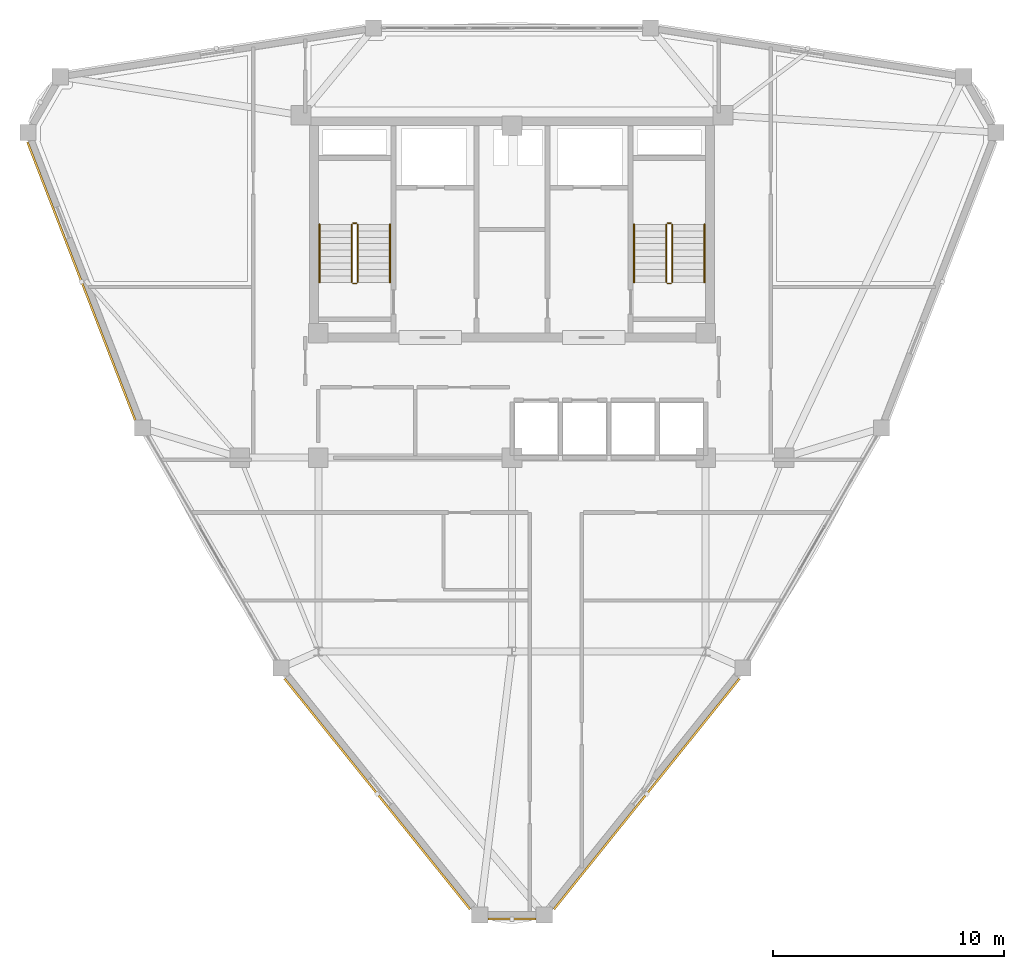
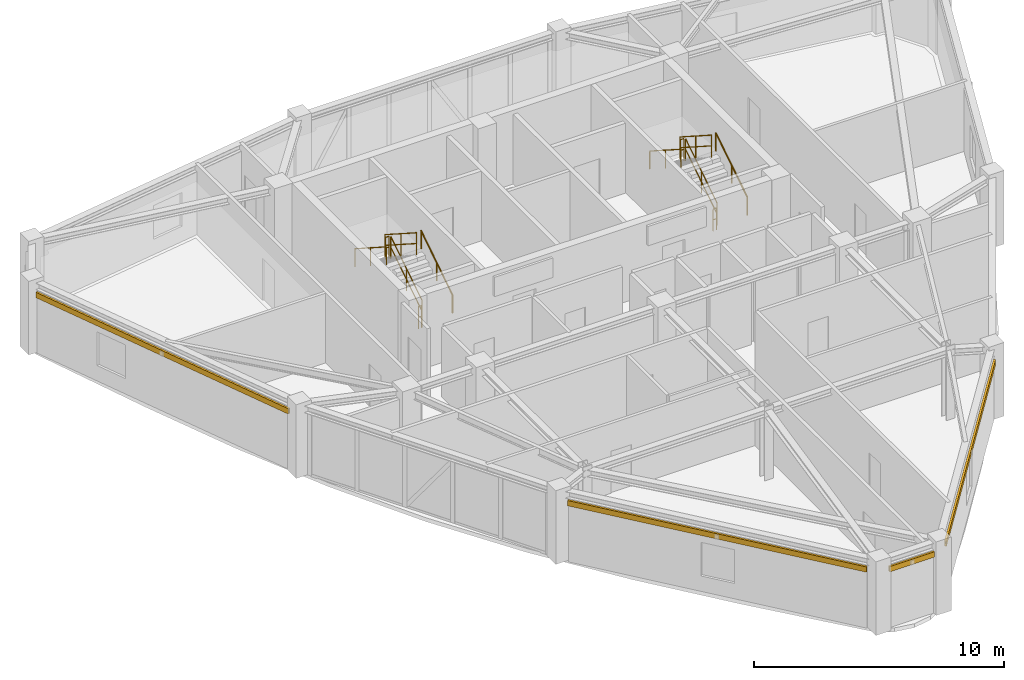
# One storey, part 14 of 15: 12 railings, 4 shading devices.
"""IFC4 building model written with IfcOpenShell, lengths in metres."""

from ifc_helpers import new_model, si_unit, derived_unit, direction, frame, origin, origin_2d, place, context, subcontext, project, spatial, hollow_rectangle, circle, extrude, source, transform, mapped, material, material_profile, profile_set, type_object, element, save


model = new_model("IFC4")

# Units and contexts
model_context = context("Model", 3, precision=1e-05, world=origin(), true_north=direction((0.0, 1.0)))
body_context = subcontext(model_context, "Body", "Model", "MODEL_VIEW")
ifc_project = project(units=[si_unit("LENGTHUNIT", "METRE"), si_unit("AREAUNIT", "SQUARE_METRE"), si_unit("VOLUMEUNIT", "CUBIC_METRE"), si_unit("PLANEANGLEUNIT", "RADIAN"), si_unit("MASSUNIT", "GRAM", prefix="KILO"), derived_unit("THERMALTRANSMITTANCEUNIT", [(si_unit("POWERUNIT", "WATT"), 1), (si_unit("LENGTHUNIT", "METRE"), -2), (si_unit("THERMODYNAMICTEMPERATUREUNIT", "KELVIN"), -1)])], contexts=[model_context])

# Site, building, storey
site_placement = place(None, origin())
site = spatial("IfcSite", under=ifc_project, at=site_placement, CompositionType="ELEMENT")
building_placement = place(site_placement, origin())
building = spatial("IfcBuilding", under=site, at=building_placement, Name="Korsvarv Bourse and Concert Hall", CompositionType="ELEMENT")
storey_placement = place(building_placement, frame((0.0, 0.0, 246.60009765625)))
storey = spatial("IfcBuildingStorey", under=building, at=storey_placement, Name="L64", CompositionType="ELEMENT", Elevation=246.60009765625)

# Railings
ifc_material_1 = material(Name="Painted Steel S355 stair well guardrail", Category="steel")
railing_type_1 = type_object("IfcRailingType", Name="RL-ST-GRD", PredefinedType="GUARDRAIL", material=ifc_material_1)
railing_1_placement = place(storey_placement, frame((29.31005859375, 40.0, 0.179931640625)))
element("IfcRailing", 1, at=railing_1_placement, inside=storey, type_object=railing_type_1, Name="L64 ST-T1 stair guard 1", PredefinedType="GUARDRAIL", context=body_context, shape_type="SweptSolid", body=[
    extrude(circle(Radius=0.02392578125, at=origin_2d()), frame((0.0, 0.0, 1.076171875), z_axis=(0.0, 0.841199657755, 0.540724639528), x_axis=(-1.0, 0.0, 0.0)), (0.0, 0.0, 1.0), 2.995849609375),
    extrude(circle(Radius=0.02392578125, at=origin_2d()), frame((0.0, 0.0, 0.550048828125), z_axis=(0.0, 0.841199657755, 0.540724639528), x_axis=(-1.0, 0.0, 0.0)), (0.0, 0.0, 1.0), 2.995849609375),
    extrude(circle(Radius=0.02099609375, at=origin_2d()), origin(), (0.0, 0.0, 1.0), 1.052001953125),
    extrude(circle(Radius=0.02099609375, at=origin_2d()), frame((0.0, 1.260009765625, 0.81005859375)), (0.0, 0.0, 1.0), 1.052001953125),
    extrude(circle(Radius=0.02099609375, at=origin_2d()), frame((0.0, 2.52001953125, 1.619873046875)), (0.0, 0.0, 1.0), 1.052001953125),
])
railing_2_placement = place(storey_placement, frame((29.260009765625, 42.570068359375, 1.7998046875)))
element("IfcRailing", 2, at=railing_2_placement, inside=storey, type_object=railing_type_1, Name="L64 ST-T1 stair guard 2", PredefinedType="GUARDRAIL", context=body_context, shape_type="SweptSolid", body=[
    extrude(circle(Radius=0.02392578125, at=origin_2d()), frame((0.0, 0.0, 1.076171875), z_axis=(-1.0, 0.0, 0.0), x_axis=(0.0, -1.0, 0.0)), (0.0, 0.0, 1.0), 0.159912109375),
    extrude(circle(Radius=0.02392578125, at=origin_2d()), frame((0.0, 0.0, 0.550048828125), z_axis=(-1.0, 0.0, 0.0), x_axis=(0.0, -1.0, 0.0)), (0.0, 0.0, 1.0), 0.159912109375),
    extrude(circle(Radius=0.02099609375, at=origin_2d()), origin(), (0.0, 0.0, 1.0), 1.052001953125),
    extrude(circle(Radius=0.02099609375, at=origin_2d()), frame((-0.159912109375, 0.0, 0.0)), (0.0, 0.0, 1.0), 1.052001953125),
])
railing_3_placement = place(storey_placement, frame((29.050048828125, 42.52001953125, 1.97998046875)))
element("IfcRailing", 3, at=railing_3_placement, inside=storey, type_object=railing_type_1, Name="L64 ST-T1 stair guard 3", PredefinedType="GUARDRAIL", context=body_context, shape_type="SweptSolid", body=[
    extrude(circle(Radius=0.02392578125, at=origin_2d()), frame((0.0, 0.0, 1.076171875), z_axis=(0.0, -0.841199657755, 0.540724639528), x_axis=(1.0, 0.0, 0.0)), (0.0, 0.0, 1.0), 2.995849609375),
    extrude(circle(Radius=0.02392578125, at=origin_2d()), frame((0.0, 0.0, 0.550048828125), z_axis=(0.0, -0.841199657755, 0.540724639528), x_axis=(1.0, 0.0, 0.0)), (0.0, 0.0, 1.0), 2.995849609375),
    extrude(circle(Radius=0.02099609375, at=origin_2d()), origin(), (0.0, 0.0, 1.0), 1.052001953125),
    extrude(circle(Radius=0.02099609375, at=origin_2d()), frame((0.0, -1.260009765625, 0.81005859375)), (0.0, 0.0, 1.0), 1.052001953125),
    extrude(circle(Radius=0.02099609375, at=origin_2d()), frame((0.0, -2.52001953125, 1.619873046875)), (0.0, 0.0, 1.0), 1.052001953125),
])
railing_4_placement = place(storey_placement, frame((29.260009765625, 39.949951171875, 0.0)))
element("IfcRailing", 4, at=railing_4_placement, inside=storey, type_object=railing_type_1, Name="L64 ST-T1 stair guard 4", PredefinedType="GUARDRAIL", context=body_context, shape_type="SweptSolid", body=[
    extrude(circle(Radius=0.02392578125, at=origin_2d()), frame((0.0, 0.0, 1.076171875), z_axis=(-1.0, 0.0, 0.0), x_axis=(0.0, -1.0, 0.0)), (0.0, 0.0, 1.0), 0.159912109375),
    extrude(circle(Radius=0.02392578125, at=origin_2d()), frame((0.0, 0.0, 0.550048828125), z_axis=(-1.0, 0.0, 0.0), x_axis=(0.0, -1.0, 0.0)), (0.0, 0.0, 1.0), 0.159912109375),
    extrude(circle(Radius=0.02099609375, at=origin_2d()), origin(), (0.0, 0.0, 1.0), 1.052001953125),
    extrude(circle(Radius=0.02099609375, at=origin_2d()), frame((-0.159912109375, 0.0, 0.0)), (0.0, 0.0, 1.0), 1.052001953125),
])
railing_5_placement = place(storey_placement, frame((42.949951171875, 40.0, 0.179931640625)))
element("IfcRailing", 5, at=railing_5_placement, inside=storey, type_object=railing_type_1, Name="L64 ST-T2 stair guard 1", PredefinedType="GUARDRAIL", context=body_context, shape_type="SweptSolid", body=[
    extrude(circle(Radius=0.02392578125, at=origin_2d()), frame((0.0, 0.0, 1.076171875), z_axis=(0.0, 0.841199657755, 0.540724639528), x_axis=(-1.0, 0.0, 0.0)), (0.0, 0.0, 1.0), 2.995849609375),
    extrude(circle(Radius=0.02392578125, at=origin_2d()), frame((0.0, 0.0, 0.550048828125), z_axis=(0.0, 0.841199657755, 0.540724639528), x_axis=(-1.0, 0.0, 0.0)), (0.0, 0.0, 1.0), 2.995849609375),
    extrude(circle(Radius=0.02099609375, at=origin_2d()), origin(), (0.0, 0.0, 1.0), 1.052001953125),
    extrude(circle(Radius=0.02099609375, at=origin_2d()), frame((0.0, 1.260009765625, 0.81005859375)), (0.0, 0.0, 1.0), 1.052001953125),
    extrude(circle(Radius=0.02099609375, at=origin_2d()), frame((0.0, 2.52001953125, 1.619873046875)), (0.0, 0.0, 1.0), 1.052001953125),
])
railing_6_placement = place(storey_placement, frame((42.89990234375, 42.570068359375, 1.7998046875)))
element("IfcRailing", 6, at=railing_6_placement, inside=storey, type_object=railing_type_1, Name="L64 ST-T2 stair guard 2", PredefinedType="GUARDRAIL", context=body_context, shape_type="SweptSolid", body=[
    extrude(circle(Radius=0.02392578125, at=origin_2d()), frame((0.0, 0.0, 1.076171875), z_axis=(-1.0, 0.0, 0.0), x_axis=(0.0, -1.0, 0.0)), (0.0, 0.0, 1.0), 0.159912109375),
    extrude(circle(Radius=0.02392578125, at=origin_2d()), frame((0.0, 0.0, 0.550048828125), z_axis=(-1.0, 0.0, 0.0), x_axis=(0.0, -1.0, 0.0)), (0.0, 0.0, 1.0), 0.159912109375),
    extrude(circle(Radius=0.02099609375, at=origin_2d()), origin(), (0.0, 0.0, 1.0), 1.052001953125),
    extrude(circle(Radius=0.02099609375, at=origin_2d()), frame((-0.159912109375, 0.0, 0.0)), (0.0, 0.0, 1.0), 1.052001953125),
])
railing_7_placement = place(storey_placement, frame((42.68994140625, 42.52001953125, 1.97998046875)))
element("IfcRailing", 7, at=railing_7_placement, inside=storey, type_object=railing_type_1, Name="L64 ST-T2 stair guard 3", PredefinedType="GUARDRAIL", context=body_context, shape_type="SweptSolid", body=[
    extrude(circle(Radius=0.02392578125, at=origin_2d()), frame((0.0, 0.0, 1.076171875), z_axis=(0.0, -0.841199657755, 0.540724639528), x_axis=(1.0, 0.0, 0.0)), (0.0, 0.0, 1.0), 2.995849609375),
    extrude(circle(Radius=0.02392578125, at=origin_2d()), frame((0.0, 0.0, 0.550048828125), z_axis=(0.0, -0.841199657755, 0.540724639528), x_axis=(1.0, 0.0, 0.0)), (0.0, 0.0, 1.0), 2.995849609375),
    extrude(circle(Radius=0.02099609375, at=origin_2d()), origin(), (0.0, 0.0, 1.0), 1.052001953125),
    extrude(circle(Radius=0.02099609375, at=origin_2d()), frame((0.0, -1.260009765625, 0.81005859375)), (0.0, 0.0, 1.0), 1.052001953125),
    extrude(circle(Radius=0.02099609375, at=origin_2d()), frame((0.0, -2.52001953125, 1.619873046875)), (0.0, 0.0, 1.0), 1.052001953125),
])
railing_8_placement = place(storey_placement, frame((42.89990234375, 39.949951171875, 0.0)))
element("IfcRailing", 8, at=railing_8_placement, inside=storey, type_object=railing_type_1, Name="L64 ST-T2 stair guard 4", PredefinedType="GUARDRAIL", context=body_context, shape_type="SweptSolid", body=[
    extrude(circle(Radius=0.02392578125, at=origin_2d()), frame((0.0, 0.0, 1.076171875), z_axis=(-1.0, 0.0, 0.0), x_axis=(0.0, -1.0, 0.0)), (0.0, 0.0, 1.0), 0.159912109375),
    extrude(circle(Radius=0.02392578125, at=origin_2d()), frame((0.0, 0.0, 0.550048828125), z_axis=(-1.0, 0.0, 0.0), x_axis=(0.0, -1.0, 0.0)), (0.0, 0.0, 1.0), 0.159912109375),
    extrude(circle(Radius=0.02099609375, at=origin_2d()), origin(), (0.0, 0.0, 1.0), 1.052001953125),
    extrude(circle(Radius=0.02099609375, at=origin_2d()), frame((-0.159912109375, 0.0, 0.0)), (0.0, 0.0, 1.0), 1.052001953125),
])
ifc_material_2 = material(Name="Brushed stainless Steel S355 tubular handrail", Category="steel")
railing_type_2 = type_object("IfcRailingType", Name="RL-ST-HND", PredefinedType="HANDRAIL", material=ifc_material_2)
railing_9_placement = place(storey_placement, frame((30.7099609375, 40.0, 0.179931640625)))
element("IfcRailing", 9, at=railing_9_placement, inside=storey, type_object=railing_type_2, Name="L64 ST-T1 stair handrail 1", PredefinedType="HANDRAIL", context=body_context, shape_type="SweptSolid", body=[
    extrude(circle(Radius=0.02392578125, at=origin_2d()), frame((0.0, 0.0, 0.8759765625), z_axis=(0.0, 0.841199657755, 0.540724639528), x_axis=(-1.0, 0.0, 0.0)), (0.0, 0.0, 1.0), 2.995849609375),
    extrude(circle(Radius=0.02099609375, at=origin_2d()), origin(), (0.0, 0.0, 1.0), 0.851806640625),
    extrude(circle(Radius=0.02099609375, at=origin_2d()), frame((0.0, 1.260009765625, 0.81005859375)), (0.0, 0.0, 1.0), 0.851806640625),
    extrude(circle(Radius=0.02099609375, at=origin_2d()), frame((0.0, 2.52001953125, 1.619873046875)), (0.0, 0.0, 1.0), 0.851806640625),
])
railing_10_placement = place(storey_placement, frame((27.64990234375, 42.52001953125, 1.97998046875)))
element("IfcRailing", 10, at=railing_10_placement, inside=storey, type_object=railing_type_2, Name="L64 ST-T1 stair handrail 2", PredefinedType="HANDRAIL", context=body_context, shape_type="SweptSolid", body=[
    extrude(circle(Radius=0.02392578125, at=origin_2d()), frame((0.0, 0.0, 0.8759765625), z_axis=(0.0, -0.841199657755, 0.540724639528), x_axis=(1.0, 0.0, 0.0)), (0.0, 0.0, 1.0), 2.995849609375),
    extrude(circle(Radius=0.02099609375, at=origin_2d()), origin(), (0.0, 0.0, 1.0), 0.851806640625),
    extrude(circle(Radius=0.02099609375, at=origin_2d()), frame((0.0, -1.260009765625, 0.81005859375)), (0.0, 0.0, 1.0), 0.851806640625),
    extrude(circle(Radius=0.02099609375, at=origin_2d()), frame((0.0, -2.52001953125, 1.619873046875)), (0.0, 0.0, 1.0), 0.851806640625),
])
railing_11_placement = place(storey_placement, frame((44.35009765625, 40.0, 0.179931640625)))
element("IfcRailing", 11, at=railing_11_placement, inside=storey, type_object=railing_type_2, Name="L64 ST-T2 stair handrail 1", PredefinedType="HANDRAIL", context=body_context, shape_type="SweptSolid", body=[
    extrude(circle(Radius=0.02392578125, at=origin_2d()), frame((0.0, 0.0, 0.8759765625), z_axis=(0.0, 0.841199657755, 0.540724639528), x_axis=(-1.0, 0.0, 0.0)), (0.0, 0.0, 1.0), 2.995849609375),
    extrude(circle(Radius=0.02099609375, at=origin_2d()), origin(), (0.0, 0.0, 1.0), 0.851806640625),
    extrude(circle(Radius=0.02099609375, at=origin_2d()), frame((0.0, 1.260009765625, 0.81005859375)), (0.0, 0.0, 1.0), 0.851806640625),
    extrude(circle(Radius=0.02099609375, at=origin_2d()), frame((0.0, 2.52001953125, 1.619873046875)), (0.0, 0.0, 1.0), 0.851806640625),
])
railing_12_placement = place(storey_placement, frame((41.2900390625, 42.52001953125, 1.97998046875)))
element("IfcRailing", 12, at=railing_12_placement, inside=storey, type_object=railing_type_2, Name="L64 ST-T2 stair handrail 2", PredefinedType="HANDRAIL", context=body_context, shape_type="SweptSolid", body=[
    extrude(circle(Radius=0.02392578125, at=origin_2d()), frame((0.0, 0.0, 0.8759765625), z_axis=(0.0, -0.841199657755, 0.540724639528), x_axis=(1.0, 0.0, 0.0)), (0.0, 0.0, 1.0), 2.995849609375),
    extrude(circle(Radius=0.02099609375, at=origin_2d()), origin(), (0.0, 0.0, 1.0), 0.851806640625),
    extrude(circle(Radius=0.02099609375, at=origin_2d()), frame((0.0, -1.260009765625, 0.81005859375)), (0.0, 0.0, 1.0), 0.851806640625),
    extrude(circle(Radius=0.02099609375, at=origin_2d()), frame((0.0, -2.52001953125, 1.619873046875)), (0.0, 0.0, 1.0), 0.851806640625),
])

# Shading devices
ifc_material_3 = material(Name="Glazed extruded architectural terracotta", Category="ceramic")
ifc_material_profile = material_profile(ifc_material_3, hollow_rectangle(XDim=0.090087890625, YDim=0.260009765625, WallThickness=0.011962890625, at=origin_2d()), Name="TC-BAG 90x260")
ifc_profile_set = profile_set([ifc_material_profile], Name="Glazed extruded architectural terracotta")
shading_device_type = type_object("IfcShadingDeviceType", Name="SHD-BAG-1", PredefinedType="USERDEFINED", material=ifc_profile_set)
shared_shape_1 = source(origin(), body_context, "Body", "SweptSolid", [
    extrude(hollow_rectangle(XDim=0.090087890625, YDim=0.260009765625, WallThickness=0.011962890625, at=origin_2d()), origin(), (0.0, 0.0, 1.0), 12.9873046875),
])
shading_device_1_placement = place(storey_placement, frame((14.986572265625, 46.08544921875, 2.889892578125), z_axis=(0.361269378379, -0.93246149317, 0.0), x_axis=(0.93246149317, 0.361269378379, 0.0)))
element("IfcShadingDevice", 13, at=shading_device_1_placement, inside=storey, type_object=shading_device_type, Name="L64 terracotta baguette sunshade EW-L64-B06", ObjectType="BAGUETTE", PredefinedType="USERDEFINED", context=body_context, shape_type="MappedRepresentation", body=[
    mapped(shared_shape_1, transform((0.0, 0.0, 0.0), scale=1.0)),
])
shared_shape_2 = source(origin(), body_context, "Body", "SweptSolid", [
    extrude(hollow_rectangle(XDim=0.090087890625, YDim=0.260009765625, WallThickness=0.011962890625, at=origin_2d()), origin(), (0.0, 0.0, 1.0), 12.837646484375),
])
for number, where, z_axis, x_axis, name in (
    (14, (26.1328125, 22.819091796875, 2.919921875), (0.626900462501, -0.779099358308, 0.0), (0.779099358308, 0.626900462501, 0.0), "L64 terracotta baguette sunshade EW-L64-B08"),
    (15, (37.8193359375, 12.8173828125, 2.889892578125), (0.626900462501, 0.779099358308, 0.0), (-0.779099358308, 0.626900462501, 0.0), "L64 terracotta baguette sunshade EW-L64-B10"),
):
    element("IfcShadingDevice", number, at=place(storey_placement, frame(where, z_axis=z_axis, x_axis=x_axis)), inside=storey, type_object=shading_device_type, Name=name, ObjectType="BAGUETTE", PredefinedType="USERDEFINED", context=body_context, shape_type="MappedRepresentation", body=[
        mapped(shared_shape_2, transform((0.0, 0.0, 0.0), scale=1.0)),
    ])
shared_shape_3 = source(origin(), body_context, "Body", "SweptSolid", [
    extrude(hollow_rectangle(XDim=0.090087890625, YDim=0.260009765625, WallThickness=0.011962890625, at=origin_2d()), origin(), (0.0, 0.0, 1.0), 2.0849609375),
])
shading_device_2_placement = place(storey_placement, frame((34.95751953125, 12.38720703125, 2.919921875), z_axis=(1.0, 0.0, 0.0), x_axis=(0.0, 1.0, 0.0)))
element("IfcShadingDevice", 16, at=shading_device_2_placement, inside=storey, type_object=shading_device_type, Name="L64 terracotta baguette sunshade EW-L64-B09", ObjectType="BAGUETTE", PredefinedType="USERDEFINED", context=body_context, shape_type="MappedRepresentation", body=[
    mapped(shared_shape_3, transform((0.0, 0.0, 0.0), scale=1.0)),
])

save(model, "model.ifc")
